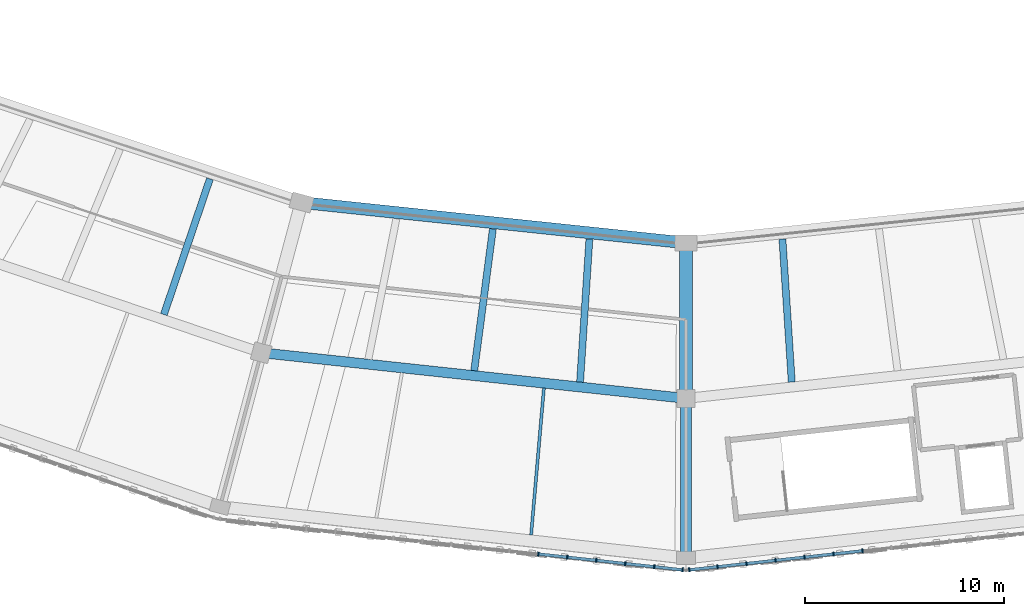
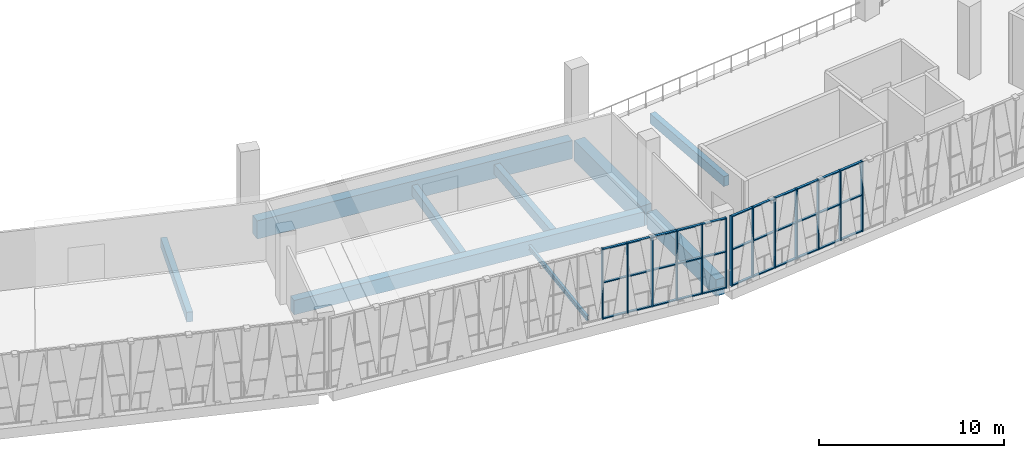
# One storey, part 8 of 64: 46 members, 9 beams, 2 elements without a shape of their own.
"""IFC4 building model written with IfcOpenShell, lengths in metres."""

from ifc_helpers import new_model, si_unit, direction, frame, origin, origin_2d, place, context, subcontext, project, spatial, rectangle, i_section, extrude, material, material_profile, profile_set, type_object, element, aggregate, save


model = new_model("IFC4")

# Units and contexts
model_context = context("Model", 3, precision=1e-05, world=origin(), true_north=direction((0.0, 1.0)))
body_context = subcontext(model_context, "Body", "Model", "MODEL_VIEW")
ifc_project = project(units=[si_unit("LENGTHUNIT", "METRE"), si_unit("AREAUNIT", "SQUARE_METRE"), si_unit("VOLUMEUNIT", "CUBIC_METRE"), si_unit("PLANEANGLEUNIT", "RADIAN"), si_unit("MASSUNIT", "GRAM", prefix="KILO")], contexts=[model_context])

# Site, building, storey
site_placement = place(None, origin())
site = spatial("IfcSite", under=ifc_project, at=site_placement, CompositionType="ELEMENT")
building_placement = place(site_placement, origin())
building = spatial("IfcBuilding", under=site, at=building_placement, Name="Zevraka Park Crest Stadium", CompositionType="ELEMENT")
storey_placement = place(building_placement, frame((0.0, 0.0, 24.60009765625)))
storey = spatial("IfcBuildingStorey", under=building, at=storey_placement, Name="L05", CompositionType="ELEMENT", Elevation=24.60009765625)

# Beams
ifc_material_1 = material(Name="Concrete C40/50", Category="concrete")
ifc_material_profile_1 = material_profile(ifc_material_1, rectangle(XDim=0.64990234375, YDim=1.35009765625, at=origin_2d()), Name="RC 1350x650")
ifc_profile_set_1 = profile_set([ifc_material_profile_1], Name="Concrete C40/50")
beam_type_1 = type_object("IfcBeamType", Name="BG01", PredefinedType="BEAM", material=ifc_profile_set_1)
beam_1_placement = place(storey_placement, frame((112.0, 32.199951171875, -0.68505859375), z_axis=(0.0, -1.0, 0.0), x_axis=(1.0, 0.0, 0.0)))
element("IfcBeam", 1, at=beam_1_placement, inside=storey, type_object=beam_type_1, Name="Radial Girder BG01 L05-BC-18", PredefinedType="BEAM", context=body_context, shape_type="SweptSolid", body=[
    extrude(rectangle(XDim=0.64990234375, YDim=1.35009765625, at=origin_2d()), origin(), (0.0, 0.0, 1.0), 7.199951171875),
])
ifc_material_2 = material(Name="Concrete C40/50", Category="concrete")
ifc_material_profile_2 = material_profile(ifc_material_2, rectangle(XDim=0.550048828125, YDim=1.10009765625, at=origin_2d()), Name="RC 1100x550")
ifc_profile_set_2 = profile_set([ifc_material_profile_2], Name="Concrete C40/50")
beam_type_2 = type_object("IfcBeamType", Name="BG02", PredefinedType="BEAM", material=ifc_profile_set_2)
beam_2_placement = place(storey_placement, frame((112.0, 24.39990234375, -0.56005859375), z_axis=(0.0, -1.0, 0.0), x_axis=(1.0, 0.0, 0.0)))
element("IfcBeam", 2, at=beam_2_placement, inside=storey, type_object=beam_type_2, Name="Radial Girder BG02 L05-CD-18", PredefinedType="BEAM", context=body_context, shape_type="SweptSolid", body=[
    extrude(rectangle(XDim=0.550048828125, YDim=1.10009765625, at=origin_2d()), origin(), (0.0, 0.0, 1.0), 7.39990234375),
])

# Curtain wall, members
ifc_material_3 = material(Name="Anodised architectural aluminium and laminated safety glass", Category="aluminium")
curtain_wall_type = type_object("IfcCurtainWallType", Name="CW21", PredefinedType="NOTDEFINED", material=ifc_material_3)
curtain_wall_1_placement = place(storey_placement, origin())
curtain_wall_1 = element("IfcCurtainWall", 3, at=curtain_wall_1_placement, inside=storey, type_object=curtain_wall_type, Name="Unitised Ring Curtain Wall CW21 L05-17", PredefinedType="NOTDEFINED")
ifc_material_4 = material(Name="Anodised architectural aluminium", Category="aluminium")
ifc_material_profile_3 = material_profile(ifc_material_4, rectangle(XDim=0.199951171875, YDim=0.070068359375, at=origin_2d()), Name="ALU MULLION 200x70")
ifc_profile_set_3 = profile_set([ifc_material_profile_3], Name="Anodised architectural aluminium")
member_type_1 = type_object("IfcMemberType", Name="CM03", PredefinedType="MULLION", material=ifc_profile_set_3)
member_1_placement = place(storey_placement, frame((104.5966796875, 16.894775390625, 0.0), z_axis=(0.0, 0.0, 1.0), x_axis=(0.109287733215, 0.994010156572, 0.0)))
member_1 = element("IfcMember", 4, at=member_1_placement, type_object=member_type_1, Name="CW21 mullion 12", PredefinedType="MULLION", context=body_context, shape_type="SweptSolid", body=[
    extrude(rectangle(XDim=0.199951171875, YDim=0.070068359375, at=origin_2d()), origin(), (0.0, 0.0, 1.0), 4.619873046875),
])
member_2_placement = place(storey_placement, frame((106.05126953125, 16.73486328125, 0.0), z_axis=(0.0, 0.0, 1.0), x_axis=(0.109287733215, 0.994010156572, 0.0)))
member_2 = element("IfcMember", 5, at=member_2_placement, type_object=member_type_1, Name="CW21 mullion 13", PredefinedType="MULLION", context=body_context, shape_type="SweptSolid", body=[
    extrude(rectangle(XDim=0.199951171875, YDim=0.070068359375, at=origin_2d()), origin(), (0.0, 0.0, 1.0), 4.619873046875),
])
member_3_placement = place(storey_placement, frame((107.505859375, 16.57470703125, 0.0), z_axis=(0.0, 0.0, 1.0), x_axis=(0.109287733215, 0.994010156572, 0.0)))
member_3 = element("IfcMember", 6, at=member_3_placement, type_object=member_type_1, Name="CW21 mullion 14", PredefinedType="MULLION", context=body_context, shape_type="SweptSolid", body=[
    extrude(rectangle(XDim=0.199951171875, YDim=0.070068359375, at=origin_2d()), origin(), (0.0, 0.0, 1.0), 4.619873046875),
])
member_4_placement = place(storey_placement, frame((108.960693359375, 16.414794921875, 0.0), z_axis=(0.0, 0.0, 1.0), x_axis=(0.109287733215, 0.994010156572, 0.0)))
member_4 = element("IfcMember", 7, at=member_4_placement, type_object=member_type_1, Name="CW21 mullion 15", PredefinedType="MULLION", context=body_context, shape_type="SweptSolid", body=[
    extrude(rectangle(XDim=0.199951171875, YDim=0.070068359375, at=origin_2d()), origin(), (0.0, 0.0, 1.0), 4.619873046875),
])
member_5_placement = place(storey_placement, frame((110.415283203125, 16.2548828125, 0.0), z_axis=(0.0, 0.0, 1.0), x_axis=(0.109287733215, 0.994010156572, 0.0)))
member_5 = element("IfcMember", 8, at=member_5_placement, type_object=member_type_1, Name="CW21 mullion 16", PredefinedType="MULLION", context=body_context, shape_type="SweptSolid", body=[
    extrude(rectangle(XDim=0.199951171875, YDim=0.070068359375, at=origin_2d()), origin(), (0.0, 0.0, 1.0), 4.619873046875),
])
member_6_placement = place(storey_placement, frame((111.835205078125, 16.098876953125, 0.0), z_axis=(0.0, 0.0, 1.0), x_axis=(0.109287733215, 0.994010156572, 0.0)))
member_6 = element("IfcMember", 9, at=member_6_placement, type_object=member_type_1, Name="CW21 mullion 17", PredefinedType="MULLION", context=body_context, shape_type="SweptSolid", body=[
    extrude(rectangle(XDim=0.199951171875, YDim=0.070068359375, at=origin_2d()), origin(), (0.0, 0.0, 1.0), 4.619873046875),
])

curtain_wall_2_placement = place(storey_placement, origin())
curtain_wall_2 = element("IfcCurtainWall", 10, at=curtain_wall_2_placement, inside=storey, type_object=curtain_wall_type, Name="Unitised Ring Curtain Wall CW21 L05-18", PredefinedType="NOTDEFINED")
member_7_placement = place(storey_placement, frame((112.164794921875, 16.098876953125, 0.0), z_axis=(0.0, 0.0, 1.0), x_axis=(-0.109287733215, 0.994010156572, 0.0)))
member_7 = element("IfcMember", 11, at=member_7_placement, type_object=member_type_1, Name="CW21 mullion 1", PredefinedType="MULLION", context=body_context, shape_type="SweptSolid", body=[
    extrude(rectangle(XDim=0.199951171875, YDim=0.070068359375, at=origin_2d()), origin(), (0.0, 0.0, 1.0), 4.619873046875),
])
member_8_placement = place(storey_placement, frame((113.584716796875, 16.2548828125, 0.0), z_axis=(0.0, 0.0, 1.0), x_axis=(-0.109287733215, 0.994010156572, 0.0)))
member_8 = element("IfcMember", 12, at=member_8_placement, type_object=member_type_1, Name="CW21 mullion 2", PredefinedType="MULLION", context=body_context, shape_type="SweptSolid", body=[
    extrude(rectangle(XDim=0.199951171875, YDim=0.070068359375, at=origin_2d()), origin(), (0.0, 0.0, 1.0), 4.619873046875),
])
member_9_placement = place(storey_placement, frame((115.039306640625, 16.414794921875, 0.0), z_axis=(0.0, 0.0, 1.0), x_axis=(-0.109287733215, 0.994010156572, 0.0)))
member_9 = element("IfcMember", 13, at=member_9_placement, type_object=member_type_1, Name="CW21 mullion 3", PredefinedType="MULLION", context=body_context, shape_type="SweptSolid", body=[
    extrude(rectangle(XDim=0.199951171875, YDim=0.070068359375, at=origin_2d()), origin(), (0.0, 0.0, 1.0), 4.619873046875),
])
member_10_placement = place(storey_placement, frame((116.494140625, 16.57470703125, 0.0), z_axis=(0.0, 0.0, 1.0), x_axis=(-0.109287733215, 0.994010156572, 0.0)))
member_10 = element("IfcMember", 14, at=member_10_placement, type_object=member_type_1, Name="CW21 mullion 4", PredefinedType="MULLION", context=body_context, shape_type="SweptSolid", body=[
    extrude(rectangle(XDim=0.199951171875, YDim=0.070068359375, at=origin_2d()), origin(), (0.0, 0.0, 1.0), 4.619873046875),
])
member_11_placement = place(storey_placement, frame((117.94873046875, 16.73486328125, 0.0), z_axis=(0.0, 0.0, 1.0), x_axis=(-0.109287733215, 0.994010156572, 0.0)))
member_11 = element("IfcMember", 15, at=member_11_placement, type_object=member_type_1, Name="CW21 mullion 5", PredefinedType="MULLION", context=body_context, shape_type="SweptSolid", body=[
    extrude(rectangle(XDim=0.199951171875, YDim=0.070068359375, at=origin_2d()), origin(), (0.0, 0.0, 1.0), 4.619873046875),
])
member_12_placement = place(storey_placement, frame((119.4033203125, 16.894775390625, 0.0), z_axis=(0.0, 0.0, 1.0), x_axis=(-0.109287733215, 0.994010156572, 0.0)))
member_12 = element("IfcMember", 16, at=member_12_placement, type_object=member_type_1, Name="CW21 mullion 6", PredefinedType="MULLION", context=body_context, shape_type="SweptSolid", body=[
    extrude(rectangle(XDim=0.199951171875, YDim=0.070068359375, at=origin_2d()), origin(), (0.0, 0.0, 1.0), 4.619873046875),
])
member_13_placement = place(storey_placement, frame((120.858154296875, 17.0546875, 0.0), z_axis=(0.0, 0.0, 1.0), x_axis=(-0.109287733215, 0.994010156572, 0.0)))
member_13 = element("IfcMember", 17, at=member_13_placement, type_object=member_type_1, Name="CW21 mullion 7", PredefinedType="MULLION", context=body_context, shape_type="SweptSolid", body=[
    extrude(rectangle(XDim=0.199951171875, YDim=0.070068359375, at=origin_2d()), origin(), (0.0, 0.0, 1.0), 4.619873046875),
])

# Member
ifc_material_5 = material(Name="Anodised architectural aluminium", Category="aluminium")
ifc_material_profile_4 = material_profile(ifc_material_5, rectangle(XDim=0.14990234375, YDim=0.070068359375, at=origin_2d()), Name="ALU TRANSOM 150x70")
ifc_profile_set_4 = profile_set([ifc_material_profile_4], Name="Anodised architectural aluminium")
member_type_2 = type_object("IfcMemberType", Name="CT03", PredefinedType="USERDEFINED", material=ifc_profile_set_4)
member_14_placement = place(storey_placement, frame((104.63134765625, 16.890869140625, 0.034912109375), z_axis=(0.994004927225, -0.109335285491, 0.0), x_axis=(0.109335285491, 0.994004927225, 0.0)))
member_14 = element("IfcMember", 18, at=member_14_placement, type_object=member_type_2, Name="CW21 transom 12.1", ObjectType="TRANSOM", PredefinedType="USERDEFINED", context=body_context, shape_type="SweptSolid", body=[
    extrude(rectangle(XDim=0.14990234375, YDim=0.070068359375, at=origin_2d()), origin(), (0.0, 0.0, 1.0), 1.393310546875),
])

member_15_placement = place(storey_placement, frame((104.63134765625, 16.890869140625, 2.39990234375), z_axis=(0.994004927225, -0.109335285491, 0.0), x_axis=(0.109335285491, 0.994004927225, 0.0)))
member_15 = element("IfcMember", 19, at=member_15_placement, type_object=member_type_2, Name="CW21 transom 12.2", ObjectType="TRANSOM", PredefinedType="USERDEFINED", context=body_context, shape_type="SweptSolid", body=[
    extrude(rectangle(XDim=0.14990234375, YDim=0.070068359375, at=origin_2d()), origin(), (0.0, 0.0, 1.0), 1.393310546875),
])

member_16_placement = place(storey_placement, frame((104.63134765625, 16.890869140625, 4.5849609375), z_axis=(0.994004927225, -0.109335285491, 0.0), x_axis=(0.109335285491, 0.994004927225, 0.0)))
member_16 = element("IfcMember", 20, at=member_16_placement, type_object=member_type_2, Name="CW21 transom 12.3", ObjectType="TRANSOM", PredefinedType="USERDEFINED", context=body_context, shape_type="SweptSolid", body=[
    extrude(rectangle(XDim=0.14990234375, YDim=0.070068359375, at=origin_2d()), origin(), (0.0, 0.0, 1.0), 1.393310546875),
])

member_17_placement = place(storey_placement, frame((106.0859375, 16.73095703125, 0.034912109375), z_axis=(0.994007021255, -0.109316246257, 0.0), x_axis=(0.109316246257, 0.994007021255, 0.0)))
member_17 = element("IfcMember", 21, at=member_17_placement, type_object=member_type_2, Name="CW21 transom 13.1", ObjectType="TRANSOM", PredefinedType="USERDEFINED", context=body_context, shape_type="SweptSolid", body=[
    extrude(rectangle(XDim=0.14990234375, YDim=0.070068359375, at=origin_2d()), origin(), (0.0, 0.0, 1.0), 1.3935546875),
])

member_18_placement = place(storey_placement, frame((106.0859375, 16.73095703125, 2.39990234375), z_axis=(0.994007021255, -0.109316246257, 0.0), x_axis=(0.109316246257, 0.994007021255, 0.0)))
member_18 = element("IfcMember", 22, at=member_18_placement, type_object=member_type_2, Name="CW21 transom 13.2", ObjectType="TRANSOM", PredefinedType="USERDEFINED", context=body_context, shape_type="SweptSolid", body=[
    extrude(rectangle(XDim=0.14990234375, YDim=0.070068359375, at=origin_2d()), origin(), (0.0, 0.0, 1.0), 1.3935546875),
])

member_19_placement = place(storey_placement, frame((106.0859375, 16.73095703125, 4.5849609375), z_axis=(0.994007021255, -0.109316246257, 0.0), x_axis=(0.109316246257, 0.994007021255, 0.0)))
member_19 = element("IfcMember", 23, at=member_19_placement, type_object=member_type_2, Name="CW21 transom 13.3", ObjectType="TRANSOM", PredefinedType="USERDEFINED", context=body_context, shape_type="SweptSolid", body=[
    extrude(rectangle(XDim=0.14990234375, YDim=0.070068359375, at=origin_2d()), origin(), (0.0, 0.0, 1.0), 1.3935546875),
])

member_20_placement = place(storey_placement, frame((107.540771484375, 16.571044921875, 0.034912109375), z_axis=(0.994004927225, -0.109335285491, 0.0), x_axis=(0.109335285491, 0.994004927225, 0.0)))
member_20 = element("IfcMember", 24, at=member_20_placement, type_object=member_type_2, Name="CW21 transom 14.1", ObjectType="TRANSOM", PredefinedType="USERDEFINED", context=body_context, shape_type="SweptSolid", body=[
    extrude(rectangle(XDim=0.14990234375, YDim=0.070068359375, at=origin_2d()), origin(), (0.0, 0.0, 1.0), 1.393310546875),
])

member_21_placement = place(storey_placement, frame((107.540771484375, 16.571044921875, 2.39990234375), z_axis=(0.994004927225, -0.109335285491, 0.0), x_axis=(0.109335285491, 0.994004927225, 0.0)))
member_21 = element("IfcMember", 25, at=member_21_placement, type_object=member_type_2, Name="CW21 transom 14.2", ObjectType="TRANSOM", PredefinedType="USERDEFINED", context=body_context, shape_type="SweptSolid", body=[
    extrude(rectangle(XDim=0.14990234375, YDim=0.070068359375, at=origin_2d()), origin(), (0.0, 0.0, 1.0), 1.393310546875),
])

member_22_placement = place(storey_placement, frame((107.540771484375, 16.571044921875, 4.5849609375), z_axis=(0.994004927225, -0.109335285491, 0.0), x_axis=(0.109335285491, 0.994004927225, 0.0)))
member_22 = element("IfcMember", 26, at=member_22_placement, type_object=member_type_2, Name="CW21 transom 14.3", ObjectType="TRANSOM", PredefinedType="USERDEFINED", context=body_context, shape_type="SweptSolid", body=[
    extrude(rectangle(XDim=0.14990234375, YDim=0.070068359375, at=origin_2d()), origin(), (0.0, 0.0, 1.0), 1.393310546875),
])

member_23_placement = place(storey_placement, frame((108.995361328125, 16.4111328125, 0.034912109375), z_axis=(0.994007021255, -0.109316246257, 0.0), x_axis=(0.109316246257, 0.994007021255, 0.0)))
member_23 = element("IfcMember", 27, at=member_23_placement, type_object=member_type_2, Name="CW21 transom 15.1", ObjectType="TRANSOM", PredefinedType="USERDEFINED", context=body_context, shape_type="SweptSolid", body=[
    extrude(rectangle(XDim=0.14990234375, YDim=0.070068359375, at=origin_2d()), origin(), (0.0, 0.0, 1.0), 1.3935546875),
])

member_24_placement = place(storey_placement, frame((108.995361328125, 16.4111328125, 2.39990234375), z_axis=(0.994007021255, -0.109316246257, 0.0), x_axis=(0.109316246257, 0.994007021255, 0.0)))
member_24 = element("IfcMember", 28, at=member_24_placement, type_object=member_type_2, Name="CW21 transom 15.2", ObjectType="TRANSOM", PredefinedType="USERDEFINED", context=body_context, shape_type="SweptSolid", body=[
    extrude(rectangle(XDim=0.14990234375, YDim=0.070068359375, at=origin_2d()), origin(), (0.0, 0.0, 1.0), 1.3935546875),
])

member_25_placement = place(storey_placement, frame((108.995361328125, 16.4111328125, 4.5849609375), z_axis=(0.994007021255, -0.109316246257, 0.0), x_axis=(0.109316246257, 0.994007021255, 0.0)))
member_25 = element("IfcMember", 29, at=member_25_placement, type_object=member_type_2, Name="CW21 transom 15.3", ObjectType="TRANSOM", PredefinedType="USERDEFINED", context=body_context, shape_type="SweptSolid", body=[
    extrude(rectangle(XDim=0.14990234375, YDim=0.070068359375, at=origin_2d()), origin(), (0.0, 0.0, 1.0), 1.3935546875),
])

member_26_placement = place(storey_placement, frame((110.4501953125, 16.251220703125, 0.034912109375), z_axis=(0.993992826478, -0.109445241606, 0.0), x_axis=(0.109445241606, 0.993992826478, 0.0)))
member_26 = element("IfcMember", 30, at=member_26_placement, type_object=member_type_2, Name="CW21 transom 16.1", ObjectType="TRANSOM", PredefinedType="USERDEFINED", context=body_context, shape_type="SweptSolid", body=[
    extrude(rectangle(XDim=0.14990234375, YDim=0.070068359375, at=origin_2d()), origin(), (0.0, 0.0, 1.0), 1.3583984375),
])

member_27_placement = place(storey_placement, frame((110.4501953125, 16.251220703125, 2.39990234375), z_axis=(0.993992826478, -0.109445241606, 0.0), x_axis=(0.109445241606, 0.993992826478, 0.0)))
member_27 = element("IfcMember", 31, at=member_27_placement, type_object=member_type_2, Name="CW21 transom 16.2", ObjectType="TRANSOM", PredefinedType="USERDEFINED", context=body_context, shape_type="SweptSolid", body=[
    extrude(rectangle(XDim=0.14990234375, YDim=0.070068359375, at=origin_2d()), origin(), (0.0, 0.0, 1.0), 1.3583984375),
])

member_28_placement = place(storey_placement, frame((110.4501953125, 16.251220703125, 4.5849609375), z_axis=(0.993992826478, -0.109445241606, 0.0), x_axis=(0.109445241606, 0.993992826478, 0.0)))
member_28 = element("IfcMember", 32, at=member_28_placement, type_object=member_type_2, Name="CW21 transom 16.3", ObjectType="TRANSOM", PredefinedType="USERDEFINED", context=body_context, shape_type="SweptSolid", body=[
    extrude(rectangle(XDim=0.14990234375, YDim=0.070068359375, at=origin_2d()), origin(), (0.0, 0.0, 1.0), 1.3583984375),
])

aggregate(curtain_wall_1, [member_1, member_2, member_3, member_4, member_5, member_6, member_14, member_15, member_16, member_17, member_18, member_19, member_20, member_21, member_22, member_23, member_24, member_25, member_26, member_27, member_28])

member_29_placement = place(storey_placement, frame((112.199462890625, 16.1025390625, 0.034912109375), z_axis=(0.993992826478, 0.109445241606, 0.0), x_axis=(-0.109445241606, 0.993992826478, 0.0)))
member_29 = element("IfcMember", 33, at=member_29_placement, type_object=member_type_2, Name="CW21 transom 1.1", ObjectType="TRANSOM", PredefinedType="USERDEFINED", context=body_context, shape_type="SweptSolid", body=[
    extrude(rectangle(XDim=0.14990234375, YDim=0.070068359375, at=origin_2d()), origin(), (0.0, 0.0, 1.0), 1.3583984375),
])

member_30_placement = place(storey_placement, frame((112.199462890625, 16.1025390625, 2.39990234375), z_axis=(0.993992826478, 0.109445241606, 0.0), x_axis=(-0.109445241606, 0.993992826478, 0.0)))
member_30 = element("IfcMember", 34, at=member_30_placement, type_object=member_type_2, Name="CW21 transom 1.2", ObjectType="TRANSOM", PredefinedType="USERDEFINED", context=body_context, shape_type="SweptSolid", body=[
    extrude(rectangle(XDim=0.14990234375, YDim=0.070068359375, at=origin_2d()), origin(), (0.0, 0.0, 1.0), 1.3583984375),
])

member_31_placement = place(storey_placement, frame((112.199462890625, 16.1025390625, 4.5849609375), z_axis=(0.993992826478, 0.109445241606, 0.0), x_axis=(-0.109445241606, 0.993992826478, 0.0)))
member_31 = element("IfcMember", 35, at=member_31_placement, type_object=member_type_2, Name="CW21 transom 1.3", ObjectType="TRANSOM", PredefinedType="USERDEFINED", context=body_context, shape_type="SweptSolid", body=[
    extrude(rectangle(XDim=0.14990234375, YDim=0.070068359375, at=origin_2d()), origin(), (0.0, 0.0, 1.0), 1.3583984375),
])

member_32_placement = place(storey_placement, frame((113.619384765625, 16.2587890625, 0.034912109375), z_axis=(0.994007021255, 0.109316246257, 0.0), x_axis=(-0.109316246257, 0.994007021255, 0.0)))
member_32 = element("IfcMember", 36, at=member_32_placement, type_object=member_type_2, Name="CW21 transom 2.1", ObjectType="TRANSOM", PredefinedType="USERDEFINED", context=body_context, shape_type="SweptSolid", body=[
    extrude(rectangle(XDim=0.14990234375, YDim=0.070068359375, at=origin_2d()), origin(), (0.0, 0.0, 1.0), 1.3935546875),
])

member_33_placement = place(storey_placement, frame((113.619384765625, 16.2587890625, 2.39990234375), z_axis=(0.994007021255, 0.109316246257, 0.0), x_axis=(-0.109316246257, 0.994007021255, 0.0)))
member_33 = element("IfcMember", 37, at=member_33_placement, type_object=member_type_2, Name="CW21 transom 2.2", ObjectType="TRANSOM", PredefinedType="USERDEFINED", context=body_context, shape_type="SweptSolid", body=[
    extrude(rectangle(XDim=0.14990234375, YDim=0.070068359375, at=origin_2d()), origin(), (0.0, 0.0, 1.0), 1.3935546875),
])

member_34_placement = place(storey_placement, frame((113.619384765625, 16.2587890625, 4.5849609375), z_axis=(0.994007021255, 0.109316246257, 0.0), x_axis=(-0.109316246257, 0.994007021255, 0.0)))
member_34 = element("IfcMember", 38, at=member_34_placement, type_object=member_type_2, Name="CW21 transom 2.3", ObjectType="TRANSOM", PredefinedType="USERDEFINED", context=body_context, shape_type="SweptSolid", body=[
    extrude(rectangle(XDim=0.14990234375, YDim=0.070068359375, at=origin_2d()), origin(), (0.0, 0.0, 1.0), 1.3935546875),
])

member_35_placement = place(storey_placement, frame((115.07421875, 16.418701171875, 0.034912109375), z_axis=(0.994004927225, 0.109335285491, 0.0), x_axis=(-0.109335285491, 0.994004927225, 0.0)))
member_35 = element("IfcMember", 39, at=member_35_placement, type_object=member_type_2, Name="CW21 transom 3.1", ObjectType="TRANSOM", PredefinedType="USERDEFINED", context=body_context, shape_type="SweptSolid", body=[
    extrude(rectangle(XDim=0.14990234375, YDim=0.070068359375, at=origin_2d()), origin(), (0.0, 0.0, 1.0), 1.393310546875),
])

member_36_placement = place(storey_placement, frame((115.07421875, 16.418701171875, 2.39990234375), z_axis=(0.994004927225, 0.109335285491, 0.0), x_axis=(-0.109335285491, 0.994004927225, 0.0)))
member_36 = element("IfcMember", 40, at=member_36_placement, type_object=member_type_2, Name="CW21 transom 3.2", ObjectType="TRANSOM", PredefinedType="USERDEFINED", context=body_context, shape_type="SweptSolid", body=[
    extrude(rectangle(XDim=0.14990234375, YDim=0.070068359375, at=origin_2d()), origin(), (0.0, 0.0, 1.0), 1.393310546875),
])

member_37_placement = place(storey_placement, frame((115.07421875, 16.418701171875, 4.5849609375), z_axis=(0.994004927225, 0.109335285491, 0.0), x_axis=(-0.109335285491, 0.994004927225, 0.0)))
member_37 = element("IfcMember", 41, at=member_37_placement, type_object=member_type_2, Name="CW21 transom 3.3", ObjectType="TRANSOM", PredefinedType="USERDEFINED", context=body_context, shape_type="SweptSolid", body=[
    extrude(rectangle(XDim=0.14990234375, YDim=0.070068359375, at=origin_2d()), origin(), (0.0, 0.0, 1.0), 1.393310546875),
])

member_38_placement = place(storey_placement, frame((116.52880859375, 16.57861328125, 0.034912109375), z_axis=(0.994007021255, 0.109316246257, 0.0), x_axis=(-0.109316246257, 0.994007021255, 0.0)))
member_38 = element("IfcMember", 42, at=member_38_placement, type_object=member_type_2, Name="CW21 transom 4.1", ObjectType="TRANSOM", PredefinedType="USERDEFINED", context=body_context, shape_type="SweptSolid", body=[
    extrude(rectangle(XDim=0.14990234375, YDim=0.070068359375, at=origin_2d()), origin(), (0.0, 0.0, 1.0), 1.3935546875),
])

member_39_placement = place(storey_placement, frame((116.52880859375, 16.57861328125, 2.39990234375), z_axis=(0.994007021255, 0.109316246257, 0.0), x_axis=(-0.109316246257, 0.994007021255, 0.0)))
member_39 = element("IfcMember", 43, at=member_39_placement, type_object=member_type_2, Name="CW21 transom 4.2", ObjectType="TRANSOM", PredefinedType="USERDEFINED", context=body_context, shape_type="SweptSolid", body=[
    extrude(rectangle(XDim=0.14990234375, YDim=0.070068359375, at=origin_2d()), origin(), (0.0, 0.0, 1.0), 1.3935546875),
])

member_40_placement = place(storey_placement, frame((116.52880859375, 16.57861328125, 4.5849609375), z_axis=(0.994007021255, 0.109316246257, 0.0), x_axis=(-0.109316246257, 0.994007021255, 0.0)))
member_40 = element("IfcMember", 44, at=member_40_placement, type_object=member_type_2, Name="CW21 transom 4.3", ObjectType="TRANSOM", PredefinedType="USERDEFINED", context=body_context, shape_type="SweptSolid", body=[
    extrude(rectangle(XDim=0.14990234375, YDim=0.070068359375, at=origin_2d()), origin(), (0.0, 0.0, 1.0), 1.3935546875),
])

member_41_placement = place(storey_placement, frame((117.983642578125, 16.738525390625, 0.034912109375), z_axis=(0.994004927225, 0.109335285491, 0.0), x_axis=(-0.109335285491, 0.994004927225, 0.0)))
member_41 = element("IfcMember", 45, at=member_41_placement, type_object=member_type_2, Name="CW21 transom 5.1", ObjectType="TRANSOM", PredefinedType="USERDEFINED", context=body_context, shape_type="SweptSolid", body=[
    extrude(rectangle(XDim=0.14990234375, YDim=0.070068359375, at=origin_2d()), origin(), (0.0, 0.0, 1.0), 1.393310546875),
])

member_42_placement = place(storey_placement, frame((117.983642578125, 16.738525390625, 2.39990234375), z_axis=(0.994004927225, 0.109335285491, 0.0), x_axis=(-0.109335285491, 0.994004927225, 0.0)))
member_42 = element("IfcMember", 46, at=member_42_placement, type_object=member_type_2, Name="CW21 transom 5.2", ObjectType="TRANSOM", PredefinedType="USERDEFINED", context=body_context, shape_type="SweptSolid", body=[
    extrude(rectangle(XDim=0.14990234375, YDim=0.070068359375, at=origin_2d()), origin(), (0.0, 0.0, 1.0), 1.393310546875),
])

member_43_placement = place(storey_placement, frame((117.983642578125, 16.738525390625, 4.5849609375), z_axis=(0.994004927225, 0.109335285491, 0.0), x_axis=(-0.109335285491, 0.994004927225, 0.0)))
member_43 = element("IfcMember", 47, at=member_43_placement, type_object=member_type_2, Name="CW21 transom 5.3", ObjectType="TRANSOM", PredefinedType="USERDEFINED", context=body_context, shape_type="SweptSolid", body=[
    extrude(rectangle(XDim=0.14990234375, YDim=0.070068359375, at=origin_2d()), origin(), (0.0, 0.0, 1.0), 1.393310546875),
])

member_44_placement = place(storey_placement, frame((119.438232421875, 16.8984375, 0.034912109375), z_axis=(0.994004927225, 0.109335285491, 0.0), x_axis=(-0.109335285491, 0.994004927225, 0.0)))
member_44 = element("IfcMember", 48, at=member_44_placement, type_object=member_type_2, Name="CW21 transom 6.1", ObjectType="TRANSOM", PredefinedType="USERDEFINED", context=body_context, shape_type="SweptSolid", body=[
    extrude(rectangle(XDim=0.14990234375, YDim=0.070068359375, at=origin_2d()), origin(), (0.0, 0.0, 1.0), 1.393310546875),
])

member_45_placement = place(storey_placement, frame((119.438232421875, 16.8984375, 2.39990234375), z_axis=(0.994004927225, 0.109335285491, 0.0), x_axis=(-0.109335285491, 0.994004927225, 0.0)))
member_45 = element("IfcMember", 49, at=member_45_placement, type_object=member_type_2, Name="CW21 transom 6.2", ObjectType="TRANSOM", PredefinedType="USERDEFINED", context=body_context, shape_type="SweptSolid", body=[
    extrude(rectangle(XDim=0.14990234375, YDim=0.070068359375, at=origin_2d()), origin(), (0.0, 0.0, 1.0), 1.393310546875),
])

member_46_placement = place(storey_placement, frame((119.438232421875, 16.8984375, 4.5849609375), z_axis=(0.994004927225, 0.109335285491, 0.0), x_axis=(-0.109335285491, 0.994004927225, 0.0)))
member_46 = element("IfcMember", 50, at=member_46_placement, type_object=member_type_2, Name="CW21 transom 6.3", ObjectType="TRANSOM", PredefinedType="USERDEFINED", context=body_context, shape_type="SweptSolid", body=[
    extrude(rectangle(XDim=0.14990234375, YDim=0.070068359375, at=origin_2d()), origin(), (0.0, 0.0, 1.0), 1.393310546875),
])

aggregate(curtain_wall_2, [member_7, member_8, member_9, member_10, member_11, member_12, member_13, member_29, member_30, member_31, member_32, member_33, member_34, member_35, member_36, member_37, member_38, member_39, member_40, member_41, member_42, member_43, member_44, member_45, member_46])

# Beams
ifc_material_6 = material(Name="Concrete C40/50", Category="concrete")
ifc_material_profile_5 = material_profile(ifc_material_6, rectangle(XDim=0.60009765625, YDim=1.199951171875, at=origin_2d()), Name="RC 1200x600")
ifc_profile_set_5 = profile_set([ifc_material_profile_5], Name="Concrete C40/50")
beam_type_3 = type_object("IfcBeamType", Name="RB01", PredefinedType="BEAM", material=ifc_profile_set_5)
beam_3_placement = place(storey_placement, frame((93.095947265625, 34.487060546875, -0.610107421875), z_axis=(0.994522746434, -0.1045203656, 0.0), x_axis=(0.1045203656, 0.994522746434, 0.0)))
element("IfcBeam", 51, at=beam_3_placement, inside=storey, type_object=beam_type_3, Name="Ring Beam RB01 L05-B-17", PredefinedType="BEAM", context=body_context, shape_type="SweptSolid", body=[
    extrude(rectangle(XDim=0.60009765625, YDim=1.199951171875, at=origin_2d()), origin(), (0.0, 0.0, 1.0), 18.628173828125),
])
ifc_material_7 = material(Name="Concrete C40/50", Category="concrete")
ifc_material_profile_6 = material_profile(ifc_material_7, rectangle(XDim=0.5, YDim=0.949951171875, at=origin_2d()), Name="RC 950x500")
ifc_profile_set_6 = profile_set([ifc_material_profile_6], Name="Concrete C40/50")
beam_type_4 = type_object("IfcBeamType", Name="RB02", PredefinedType="BEAM", material=ifc_profile_set_6)
beam_4_placement = place(storey_placement, frame((91.076904296875, 26.951904296875, -0.485107421875), z_axis=(0.994259477334, -0.106995755668, 0.0), x_axis=(0.106995755668, 0.994259477334, 0.0)))
element("IfcBeam", 52, at=beam_4_placement, inside=storey, type_object=beam_type_4, Name="Ring Beam RB02 L05-C-17", PredefinedType="BEAM", context=body_context, shape_type="SweptSolid", body=[
    extrude(rectangle(XDim=0.5, YDim=0.949951171875, at=origin_2d()), origin(), (0.0, 0.0, 1.0), 20.663818359375),
])
ifc_material_8 = material(Name="Steel S355", Category="steel")
ifc_material_profile_7 = material_profile(ifc_material_8, i_section(OverallWidth=0.14990234375, OverallDepth=0.300048828125, WebThickness=0.007080078125, FlangeThickness=0.0107421875, at=origin_2d()), Name="IPE 300")
ifc_profile_set_7 = profile_set([ifc_material_profile_7], Name="Steel S355")
beam_type_5 = type_object("IfcBeamType", Name="SJ01", PredefinedType="JOIST", material=ifc_profile_set_7)
beam_5_placement = place(storey_placement, frame((104.8779296875, 25.219970703125, -0.418212890625), z_axis=(-0.086881642908, -0.996218640724, 0.0), x_axis=(0.996218640724, -0.086881642908, 0.0)))
element("IfcBeam", 53, at=beam_5_placement, inside=storey, type_object=beam_type_5, Name="Floor Joist SJ01 L05-CD-17-2", PredefinedType="JOIST", context=body_context, shape_type="SweptSolid", body=[
    extrude(i_section(OverallWidth=0.14990234375, OverallDepth=0.300048828125, WebThickness=0.007080078125, FlangeThickness=0.0107421875, at=origin_2d()), origin(), (0.0, 0.0, 1.0), 7.39892578125),
])
ifc_material_9 = material(Name="Concrete C40/50", Category="concrete")
ifc_material_profile_8 = material_profile(ifc_material_9, rectangle(XDim=0.35009765625, YDim=0.64990234375, at=origin_2d()), Name="RC 650x350")
ifc_profile_set_8 = profile_set([ifc_material_profile_8], Name="Concrete C40/50")
beam_type_6 = type_object("IfcBeamType", Name="SJ06", PredefinedType="JOIST", material=ifc_profile_set_8)
beam_6_placement = place(storey_placement, frame((88.125, 35.715087890625, -0.593017578125), z_axis=(-0.321275682742, -0.946985710388, 0.0), x_axis=(0.946985710388, -0.321275682742, 0.0)))
element("IfcBeam", 54, at=beam_6_placement, inside=storey, type_object=beam_type_6, Name="Floor Joist SJ06 L05-BC-16-3", PredefinedType="JOIST", context=body_context, shape_type="SweptSolid", body=[
    extrude(rectangle(XDim=0.35009765625, YDim=0.64990234375, at=origin_2d()), origin(), (0.0, 0.0, 1.0), 7.190185546875),
])
beam_7_placement = place(storey_placement, frame((102.318115234375, 33.200927734375, -0.593017578125), z_axis=(-0.13062530986, -0.991431807248, 0.0), x_axis=(0.991431807248, -0.13062530986, 0.0)))
element("IfcBeam", 55, at=beam_7_placement, inside=storey, type_object=beam_type_6, Name="Floor Joist SJ06 L05-BC-17-2", PredefinedType="JOIST", context=body_context, shape_type="SweptSolid", body=[
    extrude(rectangle(XDim=0.35009765625, YDim=0.64990234375, at=origin_2d()), origin(), (0.0, 0.0, 1.0), 7.17333984375),
])
for number, where, z_axis, x_axis, name in (
    (56, (107.158935546875, 32.69189453125, -0.593017578125), (-0.06510119131, -0.997878667419, 0.0), (0.997878667419, -0.06510119131, 0.0), "Floor Joist SJ06 L05-BC-17-3"),
    (57, (116.841064453125, 32.69189453125, -0.593017578125), (0.06510119131, -0.997878667419, 0.0), (0.997878667419, 0.06510119131, 0.0), "Floor Joist SJ06 L05-BC-18-1"),
):
    element("IfcBeam", number, at=place(storey_placement, frame(where, z_axis=z_axis, x_axis=x_axis)), inside=storey, type_object=beam_type_6, Name=name, PredefinedType="JOIST", context=body_context, shape_type="SweptSolid", body=[
        extrude(rectangle(XDim=0.35009765625, YDim=0.64990234375, at=origin_2d()), origin(), (0.0, 0.0, 1.0), 7.18896484375),
    ])

save(model, "model.ifc")
